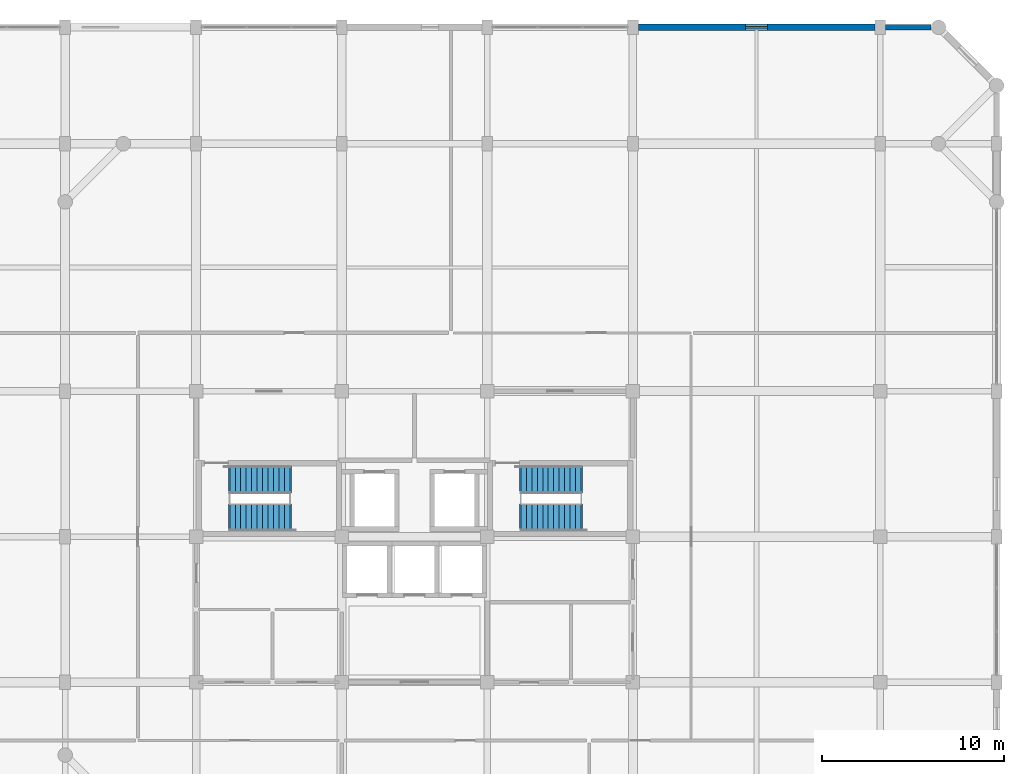
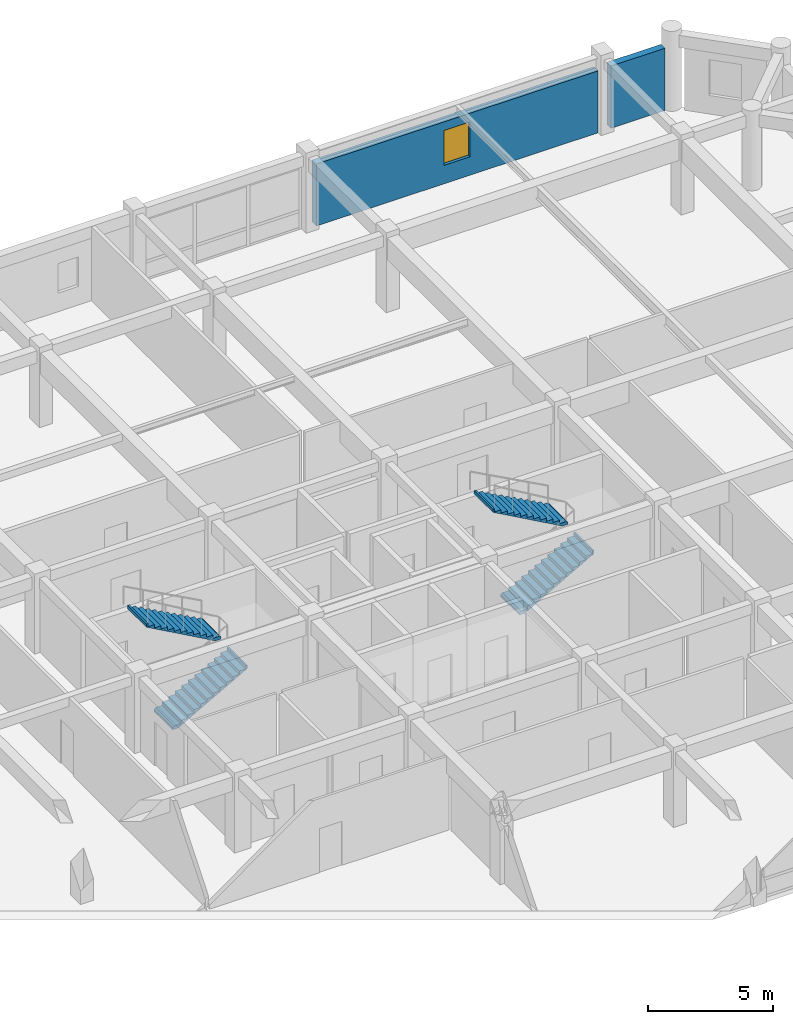
# One storey, part 13 of 14: 4 stair flights, 2 walls, 1 window, 1 opening, 2 elements without a shape of their own.
"""IFC4 building model written with IfcOpenShell, lengths in metres."""

from ifc_helpers import new_model, si_unit, direction, frame, frame_2d, origin, place, context, subcontext, project, spatial, polyline, rectangle, outline, extrude, material, layer, layer_set, type_object, element, fill, aggregate, save


model = new_model("IFC4")

# Units and contexts
model_context = context("Model", 3, precision=1e-05, world=origin(), true_north=direction((0.0, 1.0)))
body_context = subcontext(model_context, "Body", "Model", "MODEL_VIEW")
ifc_project = project(units=[si_unit("LENGTHUNIT", "METRE"), si_unit("AREAUNIT", "SQUARE_METRE"), si_unit("VOLUMEUNIT", "CUBIC_METRE"), si_unit("PLANEANGLEUNIT", "RADIAN"), si_unit("MASSUNIT", "GRAM", prefix="KILO")], contexts=[model_context])

# Site, building, storey
site_placement = place(None, origin())
site = spatial("IfcSite", under=ifc_project, at=site_placement, CompositionType="ELEMENT")
building_placement = place(site_placement, origin())
building = spatial("IfcBuilding", under=site, at=building_placement, Name="Vellmiral Cinema and Media Centre", CompositionType="ELEMENT")
storey_placement = place(building_placement, frame((0.0, 0.0, 27.800048828125)))
storey = spatial("IfcBuildingStorey", under=building, at=storey_placement, Name="L06", CompositionType="ELEMENT", Elevation=27.800048828125)

# Wall
ifc_material_1 = material(Name="Polychrome Glazed Ceramic Cladding", Category="masonry")
ifc_layer_1 = layer(ifc_material_1, 0.320068359375, Name="Polychrome Glazed Ceramic Cladding")
ifc_layer_set_1 = layer_set([ifc_layer_1], Name="Polychrome Glazed Ceramic Cladding")
wall_type_1 = type_object("IfcWallType", Name="WL-EXT-BRICK-320", PredefinedType="SOLIDWALL", material=ifc_layer_set_1)
wall_1_placement = place(storey_placement, frame((164.39990234375, 115.199951171875, 0.0), z_axis=(0.0, 0.0, 1.0), x_axis=(-1.0, 0.0, 0.0)))
element("IfcWall", 1, at=wall_1_placement, inside=storey, type_object=wall_type_1, Name="Exterior Facade Wall L06-017", PredefinedType="SOLIDWALL", context=body_context, shape_type="SweptSolid", body=[
    extrude(rectangle(XDim=2.5, YDim=0.320068359375, at=frame_2d((1.25, 0.0))), origin(), (0.0, 0.0, 1.0), 3.0400390625),
])

# Wall, opening, window
ifc_material_2 = material(Name="Vosges Red Sandstone Masonry", Category="masonry")
ifc_layer_2 = layer(ifc_material_2, 0.340087890625, Name="Vosges Red Sandstone Masonry")
ifc_layer_set_2 = layer_set([ifc_layer_2], Name="Vosges Red Sandstone Masonry")
wall_type_2 = type_object("IfcWallType", Name="WL-EXT-SAND-340", PredefinedType="SOLIDWALL", material=ifc_layer_set_2)
wall_2_placement = place(storey_placement, frame((161.300048828125, 115.199951171875, 0.0), z_axis=(0.0, 0.0, 1.0), x_axis=(-1.0, 0.0, 0.0)))
wall_2 = element("IfcWall", 2, at=wall_2_placement, inside=storey, type_object=wall_type_2, Name="Exterior Facade Wall L06-018", PredefinedType="SOLIDWALL", context=body_context, shape_type="SweptSolid", body=[
    extrude(rectangle(XDim=13.0, YDim=0.340087890625, at=frame_2d((6.5, 0.0))), origin(), (0.0, 0.0, 1.0), 3.02490234375),
])
opening_placement = place(wall_2_placement, frame((5.89990234375, 0.0, 0.89990234375)))
opening = element("IfcOpeningElement", 3, at=opening_placement, cuts=wall_2, Name="Opening WN-10", PredefinedType="OPENING", context=body_context, shape_type="SweptSolid", body=[
    extrude(rectangle(XDim=1.199951171875, YDim=1.699951171875, at=frame_2d((0.60009765625, 0.85009765625))), frame((0.0, 0.18212890625, 0.0), z_axis=(0.0, -1.0, 0.0), x_axis=(1.0, 0.0, 0.0)), (0.0, 0.0, 1.0), 0.364013671875),
])
ifc_material_3 = material(Name="Thermally Broken Aluminium Triple Glazing", Category="aluminium")
window_type = type_object("IfcWindowType", Name="WN-1200x1700", PartitioningType="SINGLE_PANEL", PredefinedType="WINDOW", material=ifc_material_3)
window_placement = place(opening_placement, origin())
window = element("IfcWindow", 4, at=window_placement, inside=storey, type_object=window_type, Name="Window L06-018", OverallHeight=1.699951171875, OverallWidth=1.199951171875, PartitioningType="SINGLE_PANEL", PredefinedType="WINDOW", context=body_context, shape_type="SweptSolid", body=[
    extrude(rectangle(XDim=1.199951171875, YDim=1.699951171875, at=frame_2d((0.60009765625, 0.85009765625))), frame((0.0, 0.030029296875, 0.0), z_axis=(0.0, -1.0, 0.0), x_axis=(1.0, 0.0, 0.0)), (0.0, 0.0, 1.0), 0.06005859375),
])
fill(opening, window)

# Stair, stair flights
ifc_material_4 = material(Name="Concrete C40/50", Category="concrete")
stair_type = type_object("IfcStairType", Name="ST-2RET-390", PredefinedType="HALF_TURN_STAIR", material=ifc_material_4)
stair_1_placement = place(storey_placement, origin())
stair_1 = element("IfcStair", 5, at=stair_1_placement, inside=storey, type_object=stair_type, Name="Protected Escape Stair ST-T1 (L06)", PredefinedType="HALF_TURN_STAIR")
ifc_material_5 = material(Name="Concrete C40/50", Category="concrete")
stair_flight_type = type_object("IfcStairFlightType", Name="STF-STR-390", PredefinedType="STRAIGHT", material=ifc_material_5)
stair_flight_1_placement = place(storey_placement, frame((125.85009765625, 88.25, 0.0), z_axis=(0.0, 0.0, 1.0), x_axis=(1.0, 0.0, 0.0)))
stair_flight_1 = element("IfcStairFlight", 6, at=stair_flight_1_placement, type_object=stair_flight_type, Name="ST-T1 flight 1", NumberOfRisers=12, NumberOfTreads=11, PredefinedType="STRAIGHT", RiserHeight=0.1625, TreadLength=0.3, context=body_context, shape_type="SweptSolid", body=[
    extrude(outline(polyline([(-0.080078125, 0.0), (-0.080078125, 0.097412109375), (0.0, 0.16259765625), (0.300048828125, 0.16259765625), (0.300048828125, 0.324951171875), (0.60009765625, 0.324951171875), (0.60009765625, 0.487548828125), (0.89990234375, 0.487548828125), (0.89990234375, 0.64990234375), (1.199951171875, 0.64990234375), (1.199951171875, 0.8125), (1.5, 0.8125), (1.5, 0.97509765625), (1.800048828125, 0.97509765625), (1.800048828125, 1.137451171875), (2.10009765625, 1.137451171875), (2.10009765625, 1.300048828125), (2.39990234375, 1.300048828125), (2.39990234375, 1.46240234375), (2.699951171875, 1.46240234375), (2.699951171875, 1.625), (3.0, 1.625), (3.0, 1.78759765625), (3.300048828125, 1.78759765625), (3.300048828125, 1.949951171875), (3.380126953125, 1.949951171875), (3.380126953125, 1.7900390625), (0.179931640625, 0.0), (-0.080078125, 0.0)])), frame((0.0, 0.75, 0.0), z_axis=(0.0, -1.0, 0.0), x_axis=(1.0, 0.0, 0.0)), (0.0, 0.0, 1.0), 1.5),
])
stair_flight_2_placement = place(storey_placement, frame((129.14990234375, 90.35009765625, 1.949951171875), z_axis=(0.0, 0.0, 1.0), x_axis=(-1.0, 0.0, 0.0)))
stair_flight_2 = element("IfcStairFlight", 7, at=stair_flight_2_placement, type_object=stair_flight_type, Name="ST-T1 flight 2", NumberOfRisers=12, NumberOfTreads=11, PredefinedType="STRAIGHT", RiserHeight=0.1625, TreadLength=0.3, context=body_context, shape_type="SweptSolid", body=[
    extrude(outline(polyline([(-0.080078125, 0.0), (-0.080078125, 0.097412109375), (0.0, 0.16259765625), (0.300048828125, 0.16259765625), (0.300048828125, 0.324951171875), (0.60009765625, 0.324951171875), (0.60009765625, 0.487548828125), (0.89990234375, 0.487548828125), (0.89990234375, 0.64990234375), (1.199951171875, 0.64990234375), (1.199951171875, 0.8125), (1.5, 0.8125), (1.5, 0.97509765625), (1.800048828125, 0.97509765625), (1.800048828125, 1.137451171875), (2.10009765625, 1.137451171875), (2.10009765625, 1.300048828125), (2.39990234375, 1.300048828125), (2.39990234375, 1.46240234375), (2.699951171875, 1.46240234375), (2.699951171875, 1.625), (3.0, 1.625), (3.0, 1.78759765625), (3.300048828125, 1.78759765625), (3.300048828125, 1.949951171875), (3.380126953125, 1.949951171875), (3.380126953125, 1.7900390625), (0.179931640625, 0.0), (-0.080078125, 0.0)])), frame((0.0, 0.75, 0.0), z_axis=(0.0, -1.0, 0.0), x_axis=(1.0, 0.0, 0.0)), (0.0, 0.0, 1.0), 1.5),
])
aggregate(stair_1, [stair_flight_1, stair_flight_2])

stair_2_placement = place(storey_placement, origin())
stair_2 = element("IfcStair", 8, at=stair_2_placement, inside=storey, type_object=stair_type, Name="Protected Escape Stair ST-T2 (L06)", PredefinedType="HALF_TURN_STAIR")
stair_flight_3_placement = place(storey_placement, frame((141.85009765625, 88.25, 0.0), z_axis=(0.0, 0.0, 1.0), x_axis=(1.0, 0.0, 0.0)))
stair_flight_3 = element("IfcStairFlight", 9, at=stair_flight_3_placement, type_object=stair_flight_type, Name="ST-T2 flight 1", NumberOfRisers=12, NumberOfTreads=11, PredefinedType="STRAIGHT", RiserHeight=0.1625, TreadLength=0.3, context=body_context, shape_type="SweptSolid", body=[
    extrude(outline(polyline([(-0.080078125, 0.0), (-0.080078125, 0.097412109375), (0.0, 0.16259765625), (0.300048828125, 0.16259765625), (0.300048828125, 0.324951171875), (0.60009765625, 0.324951171875), (0.60009765625, 0.487548828125), (0.89990234375, 0.487548828125), (0.89990234375, 0.64990234375), (1.199951171875, 0.64990234375), (1.199951171875, 0.8125), (1.5, 0.8125), (1.5, 0.97509765625), (1.800048828125, 0.97509765625), (1.800048828125, 1.137451171875), (2.10009765625, 1.137451171875), (2.10009765625, 1.300048828125), (2.39990234375, 1.300048828125), (2.39990234375, 1.46240234375), (2.699951171875, 1.46240234375), (2.699951171875, 1.625), (3.0, 1.625), (3.0, 1.78759765625), (3.300048828125, 1.78759765625), (3.300048828125, 1.949951171875), (3.380126953125, 1.949951171875), (3.380126953125, 1.7900390625), (0.179931640625, 0.0), (-0.080078125, 0.0)])), frame((0.0, 0.75, 0.0), z_axis=(0.0, -1.0, 0.0), x_axis=(1.0, 0.0, 0.0)), (0.0, 0.0, 1.0), 1.5),
])
stair_flight_4_placement = place(storey_placement, frame((145.14990234375, 90.35009765625, 1.949951171875), z_axis=(0.0, 0.0, 1.0), x_axis=(-1.0, 0.0, 0.0)))
stair_flight_4 = element("IfcStairFlight", 10, at=stair_flight_4_placement, type_object=stair_flight_type, Name="ST-T2 flight 2", NumberOfRisers=12, NumberOfTreads=11, PredefinedType="STRAIGHT", RiserHeight=0.1625, TreadLength=0.3, context=body_context, shape_type="SweptSolid", body=[
    extrude(outline(polyline([(-0.080078125, 0.0), (-0.080078125, 0.097412109375), (0.0, 0.16259765625), (0.300048828125, 0.16259765625), (0.300048828125, 0.324951171875), (0.60009765625, 0.324951171875), (0.60009765625, 0.487548828125), (0.89990234375, 0.487548828125), (0.89990234375, 0.64990234375), (1.199951171875, 0.64990234375), (1.199951171875, 0.8125), (1.5, 0.8125), (1.5, 0.97509765625), (1.800048828125, 0.97509765625), (1.800048828125, 1.137451171875), (2.10009765625, 1.137451171875), (2.10009765625, 1.300048828125), (2.39990234375, 1.300048828125), (2.39990234375, 1.46240234375), (2.699951171875, 1.46240234375), (2.699951171875, 1.625), (3.0, 1.625), (3.0, 1.78759765625), (3.300048828125, 1.78759765625), (3.300048828125, 1.949951171875), (3.380126953125, 1.949951171875), (3.380126953125, 1.7900390625), (0.179931640625, 0.0), (-0.080078125, 0.0)])), frame((0.0, 0.75, 0.0), z_axis=(0.0, -1.0, 0.0), x_axis=(1.0, 0.0, 0.0)), (0.0, 0.0, 1.0), 1.5),
])
aggregate(stair_2, [stair_flight_3, stair_flight_4])

save(model, "model.ifc")
